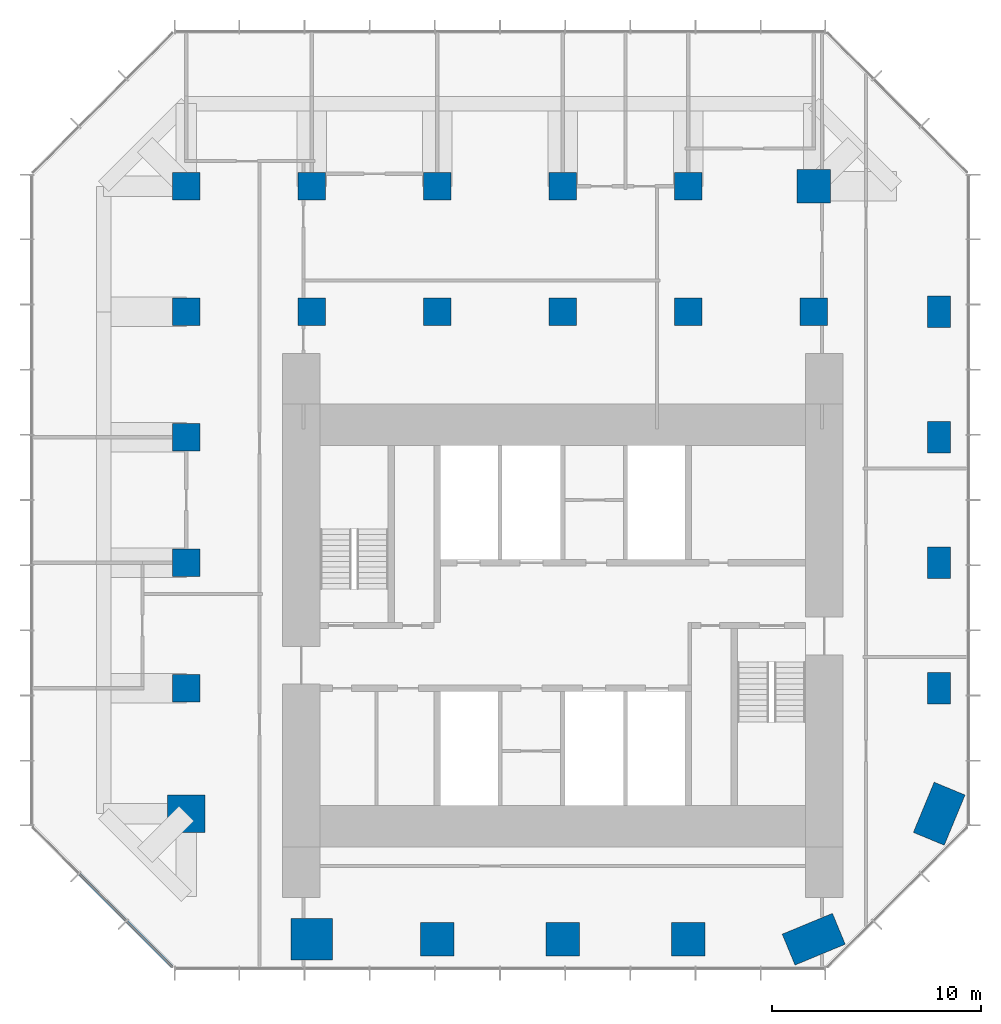
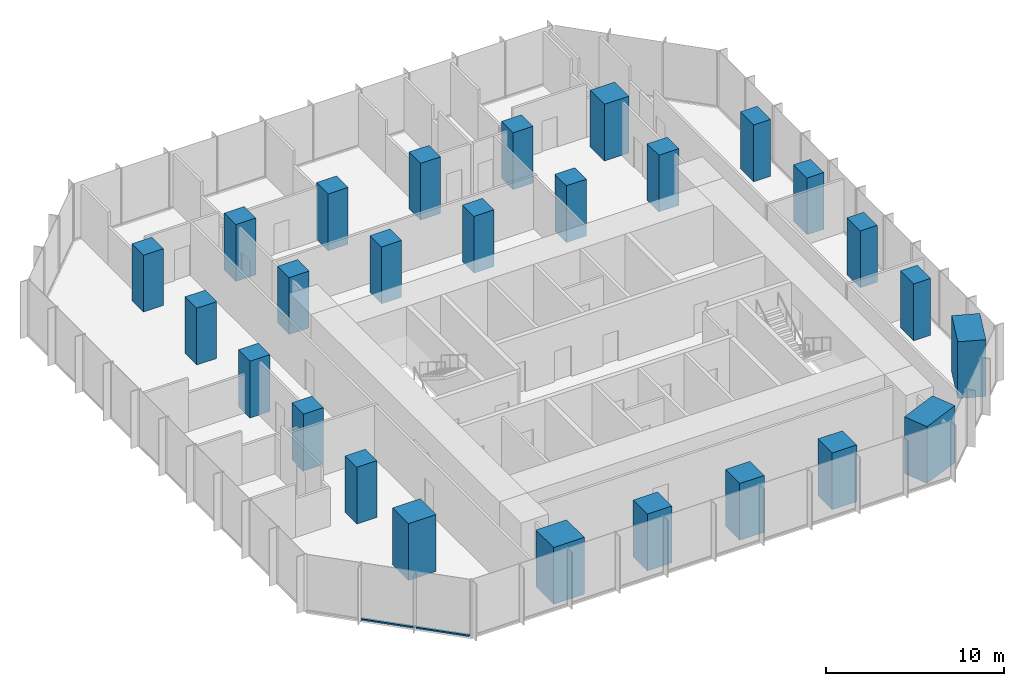
# One storey, part 1 of 11: 26 columns, 2 members, 1 element without a shape of its own.
"""IFC4 building model written with IfcOpenShell, lengths in metres."""

from ifc_helpers import new_model, si_unit, direction, frame, origin, origin_2d, place, context, subcontext, project, spatial, rectangle, extrude, material, layer, layer_set, material_profile, profile_set, type_object, element, aggregate, save


model = new_model("IFC4")

# Units and contexts
model_context = context("Model", 3, precision=1e-05, world=origin(), true_north=direction((0.0, 1.0)))
body_context = subcontext(model_context, "Body", "Model", "MODEL_VIEW")
ifc_project = project(units=[si_unit("LENGTHUNIT", "METRE"), si_unit("AREAUNIT", "SQUARE_METRE"), si_unit("VOLUMEUNIT", "CUBIC_METRE"), si_unit("PLANEANGLEUNIT", "RADIAN"), si_unit("MASSUNIT", "GRAM", prefix="KILO")], contexts=[model_context])

# Site, building, storey
site_placement = place(None, origin())
site = spatial("IfcSite", under=ifc_project, at=site_placement, CompositionType="ELEMENT")
building_placement = place(site_placement, origin())
building = spatial("IfcBuilding", under=site, at=building_placement, Name="Highveld Stack Headquarters", CompositionType="ELEMENT")
storey_placement = place(building_placement, frame((0.0, 0.0, 204.5)))
storey = spatial("IfcBuildingStorey", under=building, at=storey_placement, Name="L50", CompositionType="ELEMENT", Elevation=204.5)

# Columns
ifc_material_1 = material(Name="Concrete C60/75", Category="concrete")
ifc_material_profile_1 = material_profile(ifc_material_1, rectangle(XDim=1.300048828125, YDim=1.300048828125, at=origin_2d()), Name="RC 1300x1300")
ifc_profile_set_1 = profile_set([ifc_material_profile_1], Name="Concrete C60/75")
column_type_1 = type_object("IfcColumnType", Name="COLUMN RC 1300x1300 C60/75", PredefinedType="COLUMN", material=ifc_profile_set_1)
for number, where, z_axis, x_axis, name in (
    (1, (-12.0, 0.0, 0.0), (0.0, 0.0, 1.0), (1.0, 0.0, 0.0), "Column 4/E L50"),
    (2, (-12.0, 6.0, 0.0), (0.0, 0.0, 1.0), (1.0, 0.0, 0.0), "Column 4/F L50"),
    (3, (-12.0, 12.0, 0.0), (0.0, 0.0, 1.0), (1.0, 0.0, 0.0), "Column 4/G L50"),
    (4, (-12.0, 18.0, 0.0), (0.0, 0.0, 1.0), (1.0, 0.0, 0.0), "Column 4/H L50"),
    (5, (-12.0, 24.0, 0.0), (0.0, 0.0, 1.0), (1.0, 0.0, 0.0), "Column 4/J L50"),
    (6, (-6.0, 18.0, 0.0), (0.0, 0.0, 1.0), (1.0, 0.0, 0.0), "Column 5/H L50"),
    (7, (-6.0, 24.0, 0.0), (0.0, 0.0, 1.0), (1.0, 0.0, 0.0), "Column 5/J L50"),
    (8, (0.0, 18.0, 0.0), (0.0, 0.0, 1.0), (1.0, 0.0, 0.0), "Column 6/H L50"),
    (9, (0.0, 24.0, 0.0), (0.0, 0.0, 1.0), (1.0, 0.0, 0.0), "Column 6/J L50"),
    (10, (6.0, 18.0, 0.0), (0.0, 0.0, 1.0), (1.0, 0.0, 0.0), "Column 7/H L50"),
    (11, (6.0, 24.0, 0.0), (0.0, 0.0, 1.0), (1.0, 0.0, 0.0), "Column 7/J L50"),
    (12, (12.0, 18.0, 0.0), (0.0, 0.0, 1.0), (1.0, 0.0, 0.0), "Column 8/H L50"),
    (13, (12.0, 24.0, 0.0), (0.0, 0.0, 1.0), (1.0, 0.0, 0.0), "Column 8/J L50"),
    (14, (18.0, 18.0, 0.0), (0.0, 0.0, 1.0), (1.0, 0.0, 0.0), "Column 9/H L50"),
):
    element("IfcColumn", number, at=place(storey_placement, frame(where, z_axis=z_axis, x_axis=x_axis)), inside=storey, type_object=column_type_1, Name=name, PredefinedType="COLUMN", context=body_context, shape_type="SweptSolid", body=[
        extrude(rectangle(XDim=1.300048828125, YDim=1.300048828125, at=origin_2d()), origin(), (0.0, 0.0, 1.0), 3.89990234375),
    ])
ifc_material_2 = material(Name="Concrete C60/75", Category="concrete")
ifc_material_profile_2 = material_profile(ifc_material_2, rectangle(XDim=1.5, YDim=1.10009765625, at=origin_2d()), Name="RC 1500x1100")
ifc_profile_set_2 = profile_set([ifc_material_profile_2], Name="Concrete C60/75")
column_type_2 = type_object("IfcColumnType", Name="COLUMN RC 1500x1100 C60/75", PredefinedType="COLUMN", material=ifc_profile_set_2)
for number, where, z_axis, x_axis, name in (
    (15, (24.0, 0.0, 0.0), (0.0, 0.0, 1.0), (0.0, 1.0, 0.0), "Column 10/E L50"),
    (16, (24.0, 6.0, 0.0), (0.0, 0.0, 1.0), (0.0, 1.0, 0.0), "Column 10/F L50"),
    (17, (24.0, 12.0, 0.0), (0.0, 0.0, 1.0), (0.0, 1.0, 0.0), "Column 10/G L50"),
    (18, (24.0, 18.0, 0.0), (0.0, 0.0, 1.0), (0.0, 1.0, 0.0), "Column 10/H L50"),
):
    element("IfcColumn", number, at=place(storey_placement, frame(where, z_axis=z_axis, x_axis=x_axis)), inside=storey, type_object=column_type_2, Name=name, PredefinedType="COLUMN", context=body_context, shape_type="SweptSolid", body=[
        extrude(rectangle(XDim=1.5, YDim=1.10009765625, at=origin_2d()), origin(), (0.0, 0.0, 1.0), 3.89990234375),
    ])
ifc_material_3 = material(Name="Concrete C60/75", Category="concrete")
ifc_material_profile_3 = material_profile(ifc_material_3, rectangle(XDim=1.60009765625, YDim=1.60009765625, at=origin_2d()), Name="RC 1600x1600")
ifc_profile_set_3 = profile_set([ifc_material_profile_3], Name="Concrete C60/75")
column_type_3 = type_object("IfcColumnType", Name="COLUMN RC 1600x1600 C60/75", PredefinedType="COLUMN", material=ifc_profile_set_3)
for number, where, z_axis, x_axis, name in (
    (19, (0.0, -12.0, 0.0), (0.0, 0.0, 1.0), (1.0, 0.0, 0.0), "Column 6/C L50"),
    (20, (6.0, -12.0, 0.0), (0.0, 0.0, 1.0), (1.0, 0.0, 0.0), "Column 7/C L50"),
    (21, (12.0, -12.0, 0.0), (0.0, 0.0, 1.0), (1.0, 0.0, 0.0), "Column 8/C L50"),
    (22, (18.0, 24.0, 0.0), (0.0, 0.0, 1.0), (1.0, 0.0, 0.0), "Column 9/J L50"),
):
    element("IfcColumn", number, at=place(storey_placement, frame(where, z_axis=z_axis, x_axis=x_axis)), inside=storey, type_object=column_type_3, Name=name, PredefinedType="COLUMN", context=body_context, shape_type="SweptSolid", body=[
        extrude(rectangle(XDim=1.60009765625, YDim=1.60009765625, at=origin_2d()), origin(), (0.0, 0.0, 1.0), 3.89990234375),
    ])
ifc_material_4 = material(Name="Concrete C60/75", Category="concrete")
ifc_material_profile_4 = material_profile(ifc_material_4, rectangle(XDim=1.800048828125, YDim=1.800048828125, at=origin_2d()), Name="RC 1800x1800")
ifc_profile_set_4 = profile_set([ifc_material_profile_4], Name="Concrete C60/75")
column_type_4 = type_object("IfcColumnType", Name="COLUMN RC 1800x1800 C60/75", PredefinedType="COLUMN", material=ifc_profile_set_4)
column_1_placement = place(storey_placement, frame((-12.0, -6.0, 0.0), z_axis=(0.0, 0.0, 1.0), x_axis=(1.0, 0.0, 0.0)))
element("IfcColumn", 23, at=column_1_placement, inside=storey, type_object=column_type_4, Name="Column 4/D L50", PredefinedType="COLUMN", context=body_context, shape_type="SweptSolid", body=[
    extrude(rectangle(XDim=1.800048828125, YDim=1.800048828125, at=origin_2d()), origin(), (0.0, 0.0, 1.0), 3.89990234375),
])
ifc_material_5 = material(Name="Concrete C60/75", Category="concrete")
ifc_material_profile_5 = material_profile(ifc_material_5, rectangle(XDim=2.0, YDim=2.0, at=origin_2d()), Name="RC 2000x2000")
ifc_profile_set_5 = profile_set([ifc_material_profile_5], Name="Concrete C60/75")
column_type_5 = type_object("IfcColumnType", Name="COLUMN RC 2000x2000 C60/75", PredefinedType="COLUMN", material=ifc_profile_set_5)
column_2_placement = place(storey_placement, frame((-6.0, -12.0, 0.0), z_axis=(0.0, 0.0, 1.0), x_axis=(1.0, 0.0, 0.0)))
element("IfcColumn", 24, at=column_2_placement, inside=storey, type_object=column_type_5, Name="Column 5/C L50", PredefinedType="COLUMN", context=body_context, shape_type="SweptSolid", body=[
    extrude(rectangle(XDim=2.0, YDim=2.0, at=origin_2d()), origin(), (0.0, 0.0, 1.0), 3.89990234375),
])
ifc_material_6 = material(Name="Concrete C60/75", Category="concrete")
ifc_material_profile_6 = material_profile(ifc_material_6, rectangle(XDim=2.60009765625, YDim=1.60009765625, at=origin_2d()), Name="RC 2600x1600")
ifc_profile_set_6 = profile_set([ifc_material_profile_6], Name="Concrete C60/75")
column_type_6 = type_object("IfcColumnType", Name="COLUMN RC 2600x1600 C60/75", PredefinedType="COLUMN", material=ifc_profile_set_6)
for number, where, z_axis, x_axis, name in (
    (25, (18.0, -12.0, 0.0), (0.0, 0.0, 1.0), (-0.923879532511, -0.382683432365, 0.0), "Column 9/C L50"),
    (26, (24.0, -6.0, 0.0), (0.0, 0.0, 1.0), (-0.382683432365, -0.923879532511, 0.0), "Column 10/D L50"),
):
    element("IfcColumn", number, at=place(storey_placement, frame(where, z_axis=z_axis, x_axis=x_axis)), inside=storey, type_object=column_type_6, Name=name, PredefinedType="COLUMN", context=body_context, shape_type="SweptSolid", body=[
        extrude(rectangle(XDim=2.60009765625, YDim=1.60009765625, at=origin_2d()), origin(), (0.0, 0.0, 1.0), 3.89990234375),
    ])

# Curtain wall, members
ifc_material_7 = material(Name="Aluminium bronze anodised", Category="aluminium")
ifc_layer = layer(ifc_material_7, 0.199951171875)
ifc_layer_set = layer_set([ifc_layer], Name="Aluminium bronze anodised")
curtain_wall_type = type_object("IfcCurtainWallType", Name="CW2 TOWER CHAMFER UNITISED CURTAIN WALL", PredefinedType="NOTDEFINED", material=ifc_layer_set)
curtain_wall_placement = place(storey_placement, origin())
curtain_wall = element("IfcCurtainWall", 27, at=curtain_wall_placement, inside=storey, type_object=curtain_wall_type, Name="Curtain wall CW2 L50 SW", PredefinedType="NOTDEFINED")
ifc_material_8 = material(Name="Aluminium bronze anodised", Category="aluminium")
ifc_material_profile_7 = material_profile(ifc_material_8, rectangle(XDim=0.14990234375, YDim=0.10009765625, at=origin_2d()), Name="CW2 TRANSOM 150x100")
ifc_profile_set_7 = profile_set([ifc_material_profile_7], Name="Aluminium bronze anodised")
member_type = type_object("IfcMemberType", Name="CW2 STACK TRANSOM 150x100", PredefinedType="USERDEFINED", material=ifc_profile_set_7)
member_1_placement = place(storey_placement, frame((-17.103759765625, -8.876220703125, 0.050048828125), z_axis=(0.707106781187, -0.707106781187, 0.0), x_axis=(0.707106781187, 0.707106781187, 0.0)))
member_1 = element("IfcMember", 28, at=member_1_placement, type_object=member_type, Name="CW2 transom L50 2.1", ObjectType="TRANSOM", PredefinedType="USERDEFINED", context=body_context, shape_type="SweptSolid", body=[
    extrude(rectangle(XDim=0.14990234375, YDim=0.10009765625, at=origin_2d()), origin(), (0.0, 0.0, 1.0), 3.150146484375),
])
member_2_placement = place(storey_placement, frame((-14.830322265625, -11.149658203125, 0.050048828125), z_axis=(0.707106781187, -0.707106781187, 0.0), x_axis=(0.707106781187, 0.707106781187, 0.0)))
member_2 = element("IfcMember", 29, at=member_2_placement, type_object=member_type, Name="CW2 transom L50 3.1", ObjectType="TRANSOM", PredefinedType="USERDEFINED", context=body_context, shape_type="SweptSolid", body=[
    extrude(rectangle(XDim=0.14990234375, YDim=0.10009765625, at=origin_2d()), origin(), (0.0, 0.0, 1.0), 3.08251953125),
])
aggregate(curtain_wall, [member_1, member_2])

save(model, "model.ifc")
